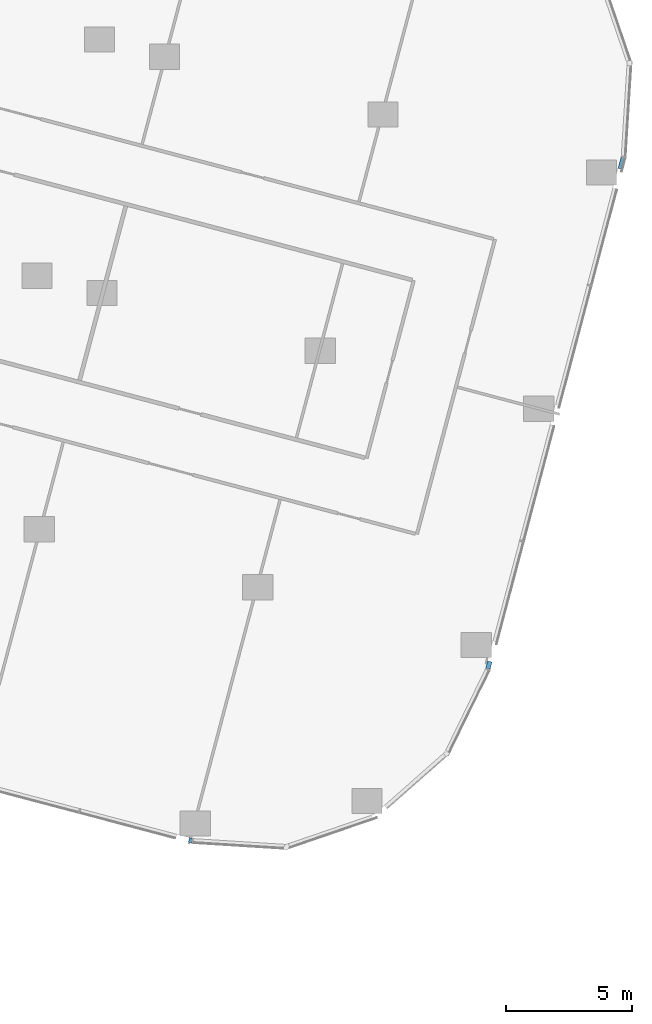
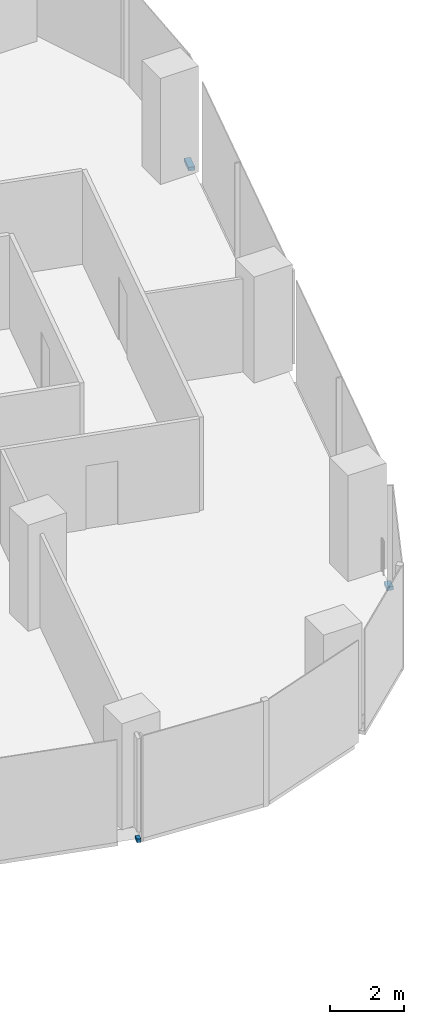
# One storey, part 17 of 34: 3 members, 2 elements without a shape of their own.
"""IFC4 building model written with IfcOpenShell, lengths in metres."""

import ifcopenshell
import ifcopenshell.guid

model = None  # the IFC model being written
_history = None  # IfcOwnerHistory: only IFC2X3 demands one
_inside = {}  # id of a spatial element -> (the spatial element, [elements in it])
_under = {}  # id of a project, library or spatial element -> (it, [spatial elements below it])
_declared = {}  # id of a project -> (the project, [libraries it declares])
_typed = {}  # id of a type object -> (the type object, [elements of that type])
_made_of = {}  # id of a material, layer set ... -> (it, [elements and type objects made of it])


def new_model(schema):
    """Start an empty IFC model of exactly this schema.

    Asked for "IFC4X3", IfcOpenShell would pick the latest addendum, in which some entities
    have other attributes; the version numbers below select the first issue.
    IFC2X3 requires an IfcOwnerHistory on every rooted entity: one is made here for all.
    """
    global model, _history
    if schema == "IFC4X3":
        model = ifcopenshell.file(schema_version=(4, 3, 0, 0))
    else:
        model = ifcopenshell.file(schema=schema)
    _inside.clear()
    _under.clear()
    _declared.clear()
    _typed.clear()
    _made_of.clear()
    _history = None
    if model.schema == "IFC2X3":
        org = make("IfcOrganization", Name="unknown")
        user = make(
            "IfcPersonAndOrganization",
            ThePerson=make("IfcPerson", FamilyName="unknown"),
            TheOrganization=org,
        )
        app = make(
            "IfcApplication",
            ApplicationDeveloper=org,
            Version="unknown",
            ApplicationFullName="unknown",
            ApplicationIdentifier="unknown",
        )
        _history = make(
            "IfcOwnerHistory",
            OwningUser=user,
            OwningApplication=app,
            ChangeAction="ADDED",
            CreationDate=0,
        )
    return model


def make(cls, **values):
    """One entity of the class cls with the attributes given. An attribute that is None is left unset."""
    return model.create_entity(
        cls, **{name: value for name, value in values.items() if value is not None}
    )


def rooted(cls, **values):
    """An entity with a GlobalId (a new one), such as an element, a storey or a relation."""
    return make(cls, GlobalId=ifcopenshell.guid.new(), OwnerHistory=_history, **values)


def si_unit(unit_type, name, prefix=None):
    """IfcSIUnit, for example si_unit("LENGTHUNIT", "METRE", prefix="MILLI")."""
    return make("IfcSIUnit", UnitType=unit_type, Prefix=prefix, Name=name)


def assignment(units):
    """IfcUnitAssignment: the units of a project."""
    return None if units is None else make("IfcUnitAssignment", Units=units)


def point(xyz):
    """IfcCartesianPoint."""
    return None if xyz is None else make("IfcCartesianPoint", Coordinates=xyz)


def direction(xyz):
    """IfcDirection."""
    return None if xyz is None else make("IfcDirection", DirectionRatios=xyz)


def frame(location, z_axis=None, x_axis=None):
    """IfcAxis2Placement3D, a coordinate frame: its origin and axes. An axis left out is left unset."""
    return make(
        "IfcAxis2Placement3D",
        Location=point(location),
        Axis=direction(z_axis),
        RefDirection=direction(x_axis),
    )


def frame_2d(location, x_axis=None):
    """IfcAxis2Placement2D, a coordinate frame in the plane: its origin and x axis."""
    return make(
        "IfcAxis2Placement2D", Location=point(location), RefDirection=direction(x_axis)
    )


def origin():
    """The frame at (0, 0, 0) with its axes left unset."""
    return frame((0.0, 0.0, 0.0))


def origin_2d():
    """The frame at (0, 0) in the plane with its x axis left unset."""
    return frame_2d((0.0, 0.0))


def place(relative_to, where):
    """IfcLocalPlacement: puts the frame where relative to a parent placement (None: the world)."""
    return make(
        "IfcLocalPlacement", PlacementRelTo=relative_to, RelativePlacement=where
    )


def context(
    kind, dimensions, precision=None, world=None, true_north=None, identifier=None
):
    """IfcGeometricRepresentationContext, for example the 3D "Model" context."""
    return make(
        "IfcGeometricRepresentationContext",
        ContextIdentifier=identifier,
        ContextType=kind,
        CoordinateSpaceDimension=dimensions,
        Precision=precision,
        WorldCoordinateSystem=world,
        TrueNorth=true_north,
    )


def subcontext(parent, identifier, kind, view, scale=None):
    """IfcGeometricRepresentationSubContext, for example "Body" below "Model"."""
    return make(
        "IfcGeometricRepresentationSubContext",
        ContextIdentifier=identifier,
        ContextType=kind,
        ParentContext=parent,
        TargetScale=scale,
        TargetView=view,
    )


def project(units=None, contexts=None):
    """IfcProject with its units and contexts."""
    return rooted(
        "IfcProject",
        Name="project",
        RepresentationContexts=contexts,
        UnitsInContext=assignment(units),
    )


def spatial(cls, under=None, at=None, **own):
    """A site, building, storey or space (cls), placed at a placement, below another one or the project."""
    s = rooted(cls, ObjectPlacement=at, **own)
    if under is not None:
        _under.setdefault(under.id(), (under, []))[1].append(s)
    return s


def profile(cls, at=None, kind="AREA", **sizes):
    """A parametric profile (cls). Its sizes go by their IFC names, for example OverallWidth=200.0."""
    return make(cls, ProfileType=kind, Position=at, **sizes)


def rectangle(**sizes):
    """IfcRectangleProfileDef."""
    return profile("IfcRectangleProfileDef", **sizes)


def extrude(swept, where, along, depth):
    """IfcExtrudedAreaSolid: the profile swept, set in the frame where, extruded along a direction by depth."""
    return make(
        "IfcExtrudedAreaSolid",
        SweptArea=swept,
        Position=where,
        ExtrudedDirection=direction(along),
        Depth=depth,
    )


def shape(context_of_items, identifier, shape_type, items):
    """IfcShapeRepresentation: the items that make up one representation, for example the "Body"."""
    return make(
        "IfcShapeRepresentation",
        ContextOfItems=context_of_items,
        RepresentationIdentifier=identifier,
        RepresentationType=shape_type,
        Items=items,
    )


def material(Name=None, Category=None):
    """IfcMaterial."""
    return make("IfcMaterial", Name=Name, Category=Category)


def material_profile(
    of_material, cross_section, Name=None, Category=None, Priority=None
):
    """IfcMaterialProfile: a cross section and its material."""
    return make(
        "IfcMaterialProfile",
        Name=Name,
        Material=of_material,
        Profile=cross_section,
        Priority=Priority,
        Category=Category,
    )


def profile_set(profiles, Name=None, composite=None):
    """IfcMaterialProfileSet."""
    return make(
        "IfcMaterialProfileSet",
        Name=Name,
        MaterialProfiles=profiles,
        CompositeProfile=composite,
    )


def made_of(thing, what):
    """Note that an element or type object is made of a material, layer set ...; save() writes the relation."""
    if what is not None:
        _made_of.setdefault(what.id(), (what, []))[1].append(thing)
    return thing


def type_object(cls, material=None, **own):
    """A type object (cls), such as IfcWallType, which elements share."""
    return made_of(rooted(cls, **own), material)


def element(
    cls,
    number,
    at=None,
    inside=None,
    cuts=None,
    type_object=None,
    material=None,
    context=None,
    identifier="Body",
    shape_type=None,
    held_by="IfcProductDefinitionShape",
    body=None,
    shapes=None,
    **own,
):
    """One element of the class cls, such as IfcWall. Its Tag is "e" and its number.

    at: its placement. inside: the storey or other place that contains it. cuts: it is an
    opening in that element (IfcRelVoidsElement). A single representation is given by context,
    identifier, shape_type and body (its items); several are given by shapes. held_by: the class
    of the entity that holds the representations. save() writes the other relations.
    """
    e = rooted(cls, Tag="e%d" % number, ObjectPlacement=at, **own)
    if body is not None:
        shapes = [shape(context, identifier, shape_type, body)]
    if shapes is not None:
        e.Representation = make(held_by, Representations=shapes)
    if inside is not None:
        _inside.setdefault(inside.id(), (inside, []))[1].append(e)
    if cuts is not None:
        rooted(
            "IfcRelVoidsElement", RelatingBuildingElement=cuts, RelatedOpeningElement=e
        )
    if type_object is not None:
        _typed.setdefault(type_object.id(), (type_object, []))[1].append(e)
    return made_of(e, material)


def aggregate(whole, parts):
    """IfcRelAggregates: a whole, such as a stair, and the parts it consists of."""
    return rooted("IfcRelAggregates", RelatingObject=whole, RelatedObjects=parts)


def save(model, path):
    """Write the relations noted so far, then the file.

    IfcRelAggregates (storeys below a building ...), IfcRelContainedInSpatialStructure (elements
    in a storey), IfcRelDefinesByType, IfcRelAssociatesMaterial and IfcRelDeclares: one each for
    every whole, place, type object, material and project.
    """
    for whole, parts in _under.values():
        aggregate(whole, parts)
    for where, things in _inside.values():
        rooted(
            "IfcRelContainedInSpatialStructure",
            RelatedElements=things,
            RelatingStructure=where,
        )
    for kind, things in _typed.values():
        rooted("IfcRelDefinesByType", RelatedObjects=things, RelatingType=kind)
    for what, things in _made_of.values():
        rooted("IfcRelAssociatesMaterial", RelatedObjects=things, RelatingMaterial=what)
    for by, libraries in _declared.values():
        rooted("IfcRelDeclares", RelatingContext=by, RelatedDefinitions=libraries)
    model.write(path)


model = new_model("IFC4")

# Units and contexts
model_context = context("Model", 3, precision=1e-05, world=origin(), true_north=direction((0.0, 1.0)))
body_context = subcontext(model_context, "Body", "Model", "MODEL_VIEW")
ifc_project = project(units=[si_unit("LENGTHUNIT", "METRE"), si_unit("AREAUNIT", "SQUARE_METRE"), si_unit("VOLUMEUNIT", "CUBIC_METRE"), si_unit("PLANEANGLEUNIT", "RADIAN"), si_unit("MASSUNIT", "GRAM", prefix="KILO")], contexts=[model_context])

# Site, building, storey
site_placement = place(None, origin())
site = spatial("IfcSite", under=ifc_project, at=site_placement, CompositionType="ELEMENT")
building_placement = place(site_placement, origin())
building = spatial("IfcBuilding", under=site, at=building_placement, Name="Orlundy Tower", CompositionType="ELEMENT")
storey_placement = place(building_placement, frame((0.0, 0.0, 109.199951171875)))
storey = spatial("IfcBuildingStorey", under=building, at=storey_placement, Name="L27", CompositionType="ELEMENT", Elevation=109.199951171875)

# Curtain wall, member
ifc_material_1 = material(Name="Aluminium bronze anodised", Category="aluminium")
curtain_wall_type = type_object("IfcCurtainWallType", Name="CW1 wall", PredefinedType="NOTDEFINED", material=ifc_material_1)
curtain_wall_1_placement = place(storey_placement, origin())
curtain_wall_1 = element("IfcCurtainWall", 1, at=curtain_wall_1_placement, inside=storey, type_object=curtain_wall_type, Name="CW1 run 00", PredefinedType="NOTDEFINED")
ifc_material_2 = material(Name="Aluminium bronze anodised", Category="aluminium")
ifc_material_profile = material_profile(ifc_material_2, rectangle(XDim=0.179931640625, YDim=0.1201171875, at=origin_2d()), Name="CW1 transom 180x120")
ifc_profile_set = profile_set([ifc_material_profile], Name="Aluminium bronze anodised")
member_type = type_object("IfcMemberType", Name="CW1 transom 180x120", PredefinedType="USERDEFINED", material=ifc_profile_set)
member_1_placement = place(storey_placement, frame((44.141357421875, -32.472900390625, -0.33984375), z_axis=(-0.966857319322, 0.255317300773, 0.0), x_axis=(-0.255317300773, -0.966857319322, 0.0)))
member_1 = element("IfcMember", 2, at=member_1_placement, type_object=member_type, Name="CW1 transom", ObjectType="TRANSOM", PredefinedType="USERDEFINED", context=body_context, shape_type="SweptSolid", body=[
    extrude(rectangle(XDim=0.179931640625, YDim=0.1201171875, at=origin_2d()), origin(), (0.0, 0.0, 1.0), 0.11669921875),
])
aggregate(curtain_wall_1, [member_1])

# Curtain wall, members
curtain_wall_2_placement = place(storey_placement, origin())
curtain_wall_2 = element("IfcCurtainWall", 3, at=curtain_wall_2_placement, inside=storey, type_object=curtain_wall_type, Name="CW1 run 023", PredefinedType="NOTDEFINED")
member_2_placement = place(storey_placement, frame((61.2548828125, -5.376708984375, -0.33984375), z_axis=(-0.256111169733, -0.966647334211, 0.0), x_axis=(0.966647334211, -0.256111169733, 0.0)))
member_2 = element("IfcMember", 4, at=member_2_placement, type_object=member_type, Name="CW1 transom", ObjectType="TRANSOM", PredefinedType="USERDEFINED", context=body_context, shape_type="SweptSolid", body=[
    extrude(rectangle(XDim=0.179931640625, YDim=0.1201171875, at=origin_2d()), origin(), (0.0, 0.0, 1.0), 0.46044921875),
])
member_3_placement = place(storey_placement, frame((55.96240234375, -25.362060546875, -0.33984375), z_axis=(-0.255801248584, -0.966729394, 0.0), x_axis=(0.966729394, -0.255801248584, 0.0)))
member_3 = element("IfcMember", 5, at=member_3_placement, type_object=member_type, Name="CW1 transom", ObjectType="TRANSOM", PredefinedType="USERDEFINED", context=body_context, shape_type="SweptSolid", body=[
    extrude(rectangle(XDim=0.179931640625, YDim=0.1201171875, at=origin_2d()), origin(), (0.0, 0.0, 1.0), 0.2939453125),
])
aggregate(curtain_wall_2, [member_2, member_3])

save(model, "model.ifc")
